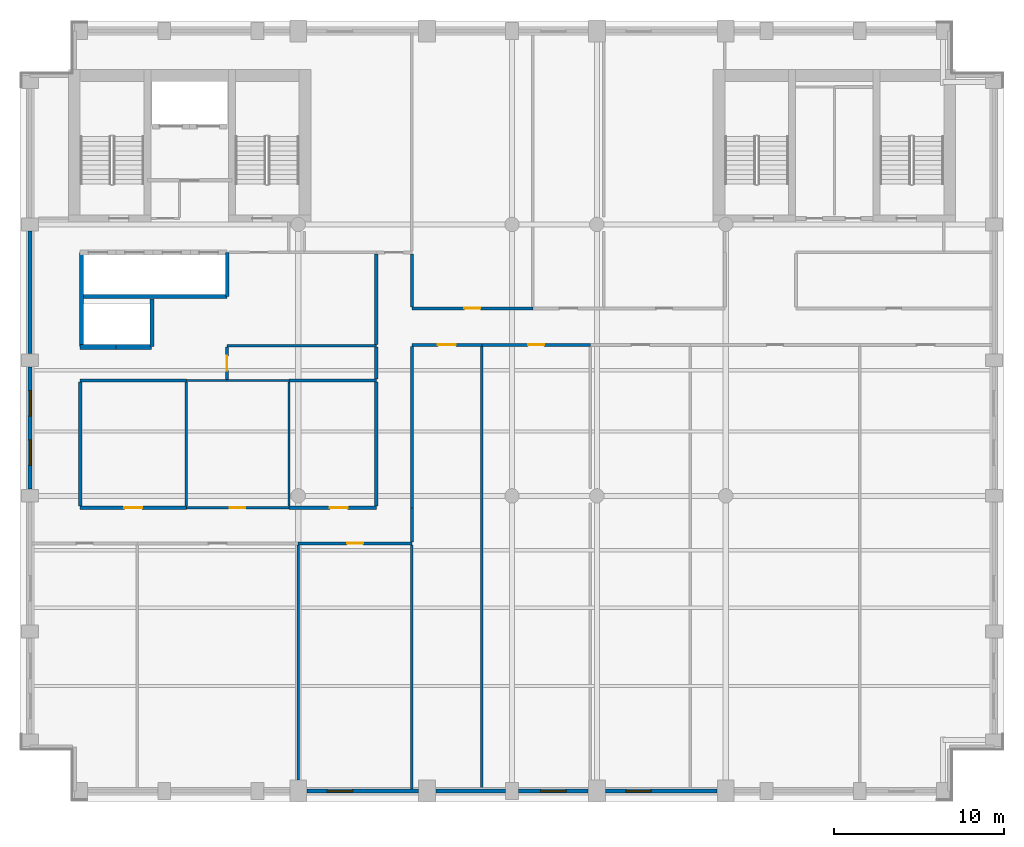
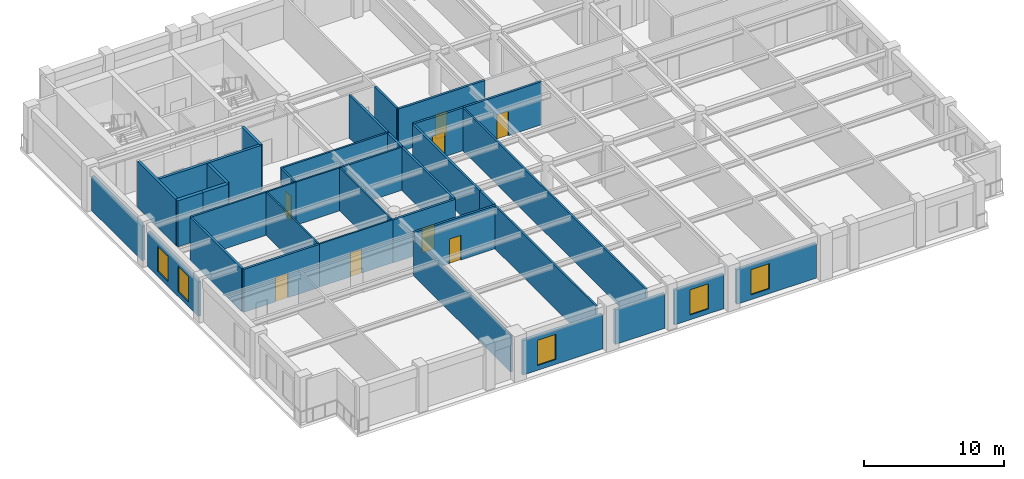
# One storey, part 3 of 9: 37 walls, 8 doors, 5 windows, 13 openings.
"""IFC4 building model written with IfcOpenShell, lengths in metres."""

from ifc_helpers import new_model, si_unit, direction, frame, frame_2d, origin, place, context, subcontext, project, spatial, rectangle, extrude, material, layer, layer_set, type_object, element, fill, save


model = new_model("IFC4")

# Units and contexts
model_context = context("Model", 3, precision=1e-05, world=origin(), true_north=direction((0.0, 1.0)))
body_context = subcontext(model_context, "Body", "Model", "MODEL_VIEW")
ifc_project = project(units=[si_unit("LENGTHUNIT", "METRE"), si_unit("AREAUNIT", "SQUARE_METRE"), si_unit("VOLUMEUNIT", "CUBIC_METRE"), si_unit("PLANEANGLEUNIT", "RADIAN"), si_unit("MASSUNIT", "GRAM", prefix="KILO")], contexts=[model_context])

# Site, building, storey
site_placement = place(None, origin())
site = spatial("IfcSite", under=ifc_project, at=site_placement, CompositionType="ELEMENT")
building_placement = place(site_placement, origin())
building = spatial("IfcBuilding", under=site, at=building_placement, Name="Sulina Concourse Tower", CompositionType="ELEMENT")
storey_placement = place(building_placement, frame((0.0, 0.0, 268.60009765625)))
storey = spatial("IfcBuildingStorey", under=building, at=storey_placement, Name="L65", CompositionType="ELEMENT", Elevation=268.60009765625)

# Walls
ifc_material_1 = material(Name="Concrete C50/60", Category="concrete")
ifc_layer_1 = layer(ifc_material_1, 0.219970703125)
ifc_layer_set_1 = layer_set([ifc_layer_1], Name="Concrete C50/60")
wall_type_1 = type_object("IfcWallType", Name="Core Lift Hoistway Divider Wall 220mm", PredefinedType="SOLIDWALL", material=ifc_layer_set_1)
wall_1_placement = place(storey_placement, frame((3.550048828125, 29.75, 0.0), z_axis=(0.0, 0.0, 1.0), x_axis=(1.0, 0.0, 0.0)))
element("IfcWall", 1, at=wall_1_placement, inside=storey, type_object=wall_type_1, Name="L65 shaft divider wall HW-LP3-S", PredefinedType="SOLIDWALL", context=body_context, shape_type="SweptSolid", body=[
    extrude(rectangle(XDim=8.64990234375, YDim=0.219970703125, at=frame_2d((4.324951171875, 0.0))), origin(), (0.0, 0.0, 1.0), 4.0),
])
wall_2_placement = place(storey_placement, frame((3.6298828125, 26.800048828125, 0.0), z_axis=(0.0, 0.0, 1.0), x_axis=(0.0, 1.0, 0.0)))
element("IfcWall", 2, at=wall_2_placement, inside=storey, type_object=wall_type_1, Name="L65 shaft divider wall HW-LP3-W", PredefinedType="SOLIDWALL", context=body_context, shape_type="SweptSolid", body=[
    extrude(rectangle(XDim=5.550048828125, YDim=0.219970703125, at=frame_2d((2.77490234375, 0.0))), origin(), (0.0, 0.0, 1.0), 4.0),
])
wall_3_placement = place(storey_placement, frame((7.780029296875, 26.800048828125, 0.0), z_axis=(0.0, 0.0, 1.0), x_axis=(0.0, 1.0, 0.0)))
element("IfcWall", 3, at=wall_3_placement, inside=storey, type_object=wall_type_1, Name="L65 shaft divider wall HW-EXP-E", PredefinedType="SOLIDWALL", context=body_context, shape_type="SweptSolid", body=[
    extrude(rectangle(XDim=2.800048828125, YDim=0.219970703125, at=frame_2d((1.39990234375, 0.0))), origin(), (0.0, 0.0, 1.0), 4.0),
])
wall_4_placement = place(storey_placement, frame((12.219970703125, 29.75, 0.0), z_axis=(0.0, 0.0, 1.0), x_axis=(0.0, 1.0, 0.0)))
element("IfcWall", 4, at=wall_4_placement, inside=storey, type_object=wall_type_1, Name="L65 shaft divider wall HW-LP3-E", PredefinedType="SOLIDWALL", context=body_context, shape_type="SweptSolid", body=[
    extrude(rectangle(XDim=2.60009765625, YDim=0.219970703125, at=frame_2d((1.300048828125, 0.0))), origin(), (0.0, 0.0, 1.0), 4.0),
])
ifc_material_2 = material(Name="Concrete C50/60", Category="concrete")
ifc_layer_2 = layer(ifc_material_2, 0.300048828125)
ifc_layer_set_2 = layer_set([ifc_layer_2], Name="Concrete C50/60")
wall_type_2 = type_object("IfcWallType", Name="Core Lift Hoistway Wall 300mm", PredefinedType="SOLIDWALL", material=ifc_layer_set_2)
wall_5_placement = place(storey_placement, frame((5.64990234375, 26.780029296875, 0.0), z_axis=(0.0, 0.0, 1.0), x_axis=(-1.0, 0.0, 0.0)))
element("IfcWall", 5, at=wall_5_placement, inside=storey, type_object=wall_type_2, Name="L65 hoistway enclosure wall EXP-1", PredefinedType="SOLIDWALL", context=body_context, shape_type="SweptSolid", body=[
    extrude(rectangle(XDim=2.099853515625, YDim=0.300048828125, at=frame_2d((1.0498046875, 0.0))), origin(), (0.0, 0.0, 1.0), 4.0),
])
wall_6_placement = place(storey_placement, frame((7.75, 26.780029296875, 0.0), z_axis=(0.0, 0.0, 1.0), x_axis=(-1.0, 0.0, 0.0)))
element("IfcWall", 6, at=wall_6_placement, inside=storey, type_object=wall_type_2, Name="L65 hoistway enclosure wall EXP-2", PredefinedType="SOLIDWALL", context=body_context, shape_type="SweptSolid", body=[
    extrude(rectangle(XDim=2.10009765625, YDim=0.300048828125, at=frame_2d((1.050048828125, 0.0))), origin(), (0.0, 0.0, 1.0), 4.0),
])

# Wall, opening, window
ifc_material_3 = material(Name="Precast concrete C50/60", Category="concrete")
ifc_layer_3 = layer(ifc_material_3, 0.239990234375)
ifc_layer_set_3 = layer_set([ifc_layer_3], Name="Precast concrete C50/60")
wall_type_3 = type_object("IfcWallType", Name="Crown Precast Masonry-Frame Facade Wall 240mm", PredefinedType="SOLIDWALL", material=ifc_layer_set_3)
wall_7_placement = place(storey_placement, frame((23.47998046875, 0.60009765625, 0.0), z_axis=(0.0, 0.0, 1.0), x_axis=(-1.0, 0.0, 0.0)))
wall_7 = element("IfcWall", 7, at=wall_7_placement, inside=storey, type_object=wall_type_3, Name="L65 exterior precast wall S4", PredefinedType="SOLIDWALL", context=body_context, shape_type="SweptSolid", body=[
    extrude(rectangle(XDim=6.56005859375, YDim=0.239990234375, at=frame_2d((3.280029296875, 0.0))), origin(), (0.0, 0.0, 1.0), 3.0),
])
opening_1_placement = place(wall_7_placement, frame((3.873291015625, 0.0, 0.419921875)))
opening_1 = element("IfcOpeningElement", 8, at=opening_1_placement, cuts=wall_7, Name="Opening WN-71", PredefinedType="OPENING", context=body_context, shape_type="SweptSolid", body=[
    extrude(rectangle(XDim=1.5, YDim=2.199951171875, at=frame_2d((0.75, 1.10009765625))), frame((0.0, 0.1298828125, 0.0), z_axis=(0.0, -1.0, 0.0), x_axis=(1.0, 0.0, 0.0)), (0.0, 0.0, 1.0), 0.260009765625),
])
ifc_material_4 = material(Name="Low-E solar double glazing in bronze aluminium", Category="aluminium")
window_type = type_object("IfcWindowType", Name="Punched Masonry-Frame Window 1500x2200", PartitioningType="SINGLE_PANEL", PredefinedType="WINDOW", material=ifc_material_4)
window_1_placement = place(opening_1_placement, origin())
window_1 = element("IfcWindow", 9, at=window_1_placement, inside=storey, type_object=window_type, Name="L65 punched window S4-1", OverallHeight=2.199951171875, OverallWidth=1.5, PartitioningType="SINGLE_PANEL", PredefinedType="WINDOW", context=body_context, shape_type="SweptSolid", body=[
    extrude(rectangle(XDim=1.5, YDim=2.199951171875, at=frame_2d((0.75, 1.10009765625))), frame((0.0, 0.030029296875, 0.0), z_axis=(0.0, -1.0, 0.0), x_axis=(1.0, 0.0, 0.0)), (0.0, 0.0, 1.0), 0.06005859375),
])
fill(opening_1, window_1)

# Wall
wall_8_placement = place(storey_placement, frame((28.60498046875, 0.60009765625, 0.0), z_axis=(0.0, 0.0, 1.0), x_axis=(-1.0, 0.0, 0.0)))
element("IfcWall", 10, at=wall_8_placement, inside=storey, type_object=wall_type_3, Name="L65 exterior precast wall S5", PredefinedType="SOLIDWALL", context=body_context, shape_type="SweptSolid", body=[
    extrude(rectangle(XDim=4.0849609375, YDim=0.239990234375, at=frame_2d((2.04248046875, 0.0))), origin(), (0.0, 0.0, 1.0), 3.0),
])

# Wall, opening, window
wall_9_placement = place(storey_placement, frame((33.47998046875, 0.60009765625, 0.0), z_axis=(0.0, 0.0, 1.0), x_axis=(-1.0, 0.0, 0.0)))
wall_9 = element("IfcWall", 11, at=wall_9_placement, inside=storey, type_object=wall_type_3, Name="L65 exterior precast wall S6", PredefinedType="SOLIDWALL", context=body_context, shape_type="SweptSolid", body=[
    extrude(rectangle(XDim=4.0849609375, YDim=0.239990234375, at=frame_2d((2.04248046875, 0.0))), origin(), (0.0, 0.0, 1.0), 3.0),
])
opening_2_placement = place(wall_9_placement, frame((1.29248046875, 0.0, 0.419921875)))
opening_2 = element("IfcOpeningElement", 12, at=opening_2_placement, cuts=wall_9, Name="Opening WN-71", PredefinedType="OPENING", context=body_context, shape_type="SweptSolid", body=[
    extrude(rectangle(XDim=1.5, YDim=2.199951171875, at=frame_2d((0.75, 1.10009765625))), frame((0.0, 0.1298828125, 0.0), z_axis=(0.0, -1.0, 0.0), x_axis=(1.0, 0.0, 0.0)), (0.0, 0.0, 1.0), 0.260009765625),
])
window_2_placement = place(opening_2_placement, origin())
window_2 = element("IfcWindow", 13, at=window_2_placement, inside=storey, type_object=window_type, Name="L65 punched window S6-1", OverallHeight=2.199951171875, OverallWidth=1.5, PartitioningType="SINGLE_PANEL", PredefinedType="WINDOW", context=body_context, shape_type="SweptSolid", body=[
    extrude(rectangle(XDim=1.5, YDim=2.199951171875, at=frame_2d((0.75, 1.10009765625))), frame((0.0, 0.030029296875, 0.0), z_axis=(0.0, -1.0, 0.0), x_axis=(1.0, 0.0, 0.0)), (0.0, 0.0, 1.0), 0.06005859375),
])
fill(opening_2, window_2)

wall_10_placement = place(storey_placement, frame((41.080078125, 0.60009765625, 0.0), z_axis=(0.0, 0.0, 1.0), x_axis=(-1.0, 0.0, 0.0)))
wall_10 = element("IfcWall", 14, at=wall_10_placement, inside=storey, type_object=wall_type_3, Name="L65 exterior precast wall S7", PredefinedType="SOLIDWALL", context=body_context, shape_type="SweptSolid", body=[
    extrude(rectangle(XDim=6.56005859375, YDim=0.239990234375, at=frame_2d((3.280029296875, 0.0))), origin(), (0.0, 0.0, 1.0), 3.0),
])
opening_3_placement = place(wall_10_placement, frame((3.873291015625, 0.0, 0.419921875)))
opening_3 = element("IfcOpeningElement", 15, at=opening_3_placement, cuts=wall_10, Name="Opening WN-71", PredefinedType="OPENING", context=body_context, shape_type="SweptSolid", body=[
    extrude(rectangle(XDim=1.5, YDim=2.199951171875, at=frame_2d((0.75, 1.10009765625))), frame((0.0, 0.1298828125, 0.0), z_axis=(0.0, -1.0, 0.0), x_axis=(1.0, 0.0, 0.0)), (0.0, 0.0, 1.0), 0.260009765625),
])
window_3_placement = place(opening_3_placement, origin())
window_3 = element("IfcWindow", 16, at=window_3_placement, inside=storey, type_object=window_type, Name="L65 punched window S7-1", OverallHeight=2.199951171875, OverallWidth=1.5, PartitioningType="SINGLE_PANEL", PredefinedType="WINDOW", context=body_context, shape_type="SweptSolid", body=[
    extrude(rectangle(XDim=1.5, YDim=2.199951171875, at=frame_2d((0.75, 1.10009765625))), frame((0.0, 0.030029296875, 0.0), z_axis=(0.0, -1.0, 0.0), x_axis=(1.0, 0.0, 0.0)), (0.0, 0.0, 1.0), 0.06005859375),
])
fill(opening_3, window_3)

# Wall, openings, windows
wall_11_placement = place(storey_placement, frame((0.60009765625, 18.39501953125, 0.0), z_axis=(0.0, 0.0, 1.0), x_axis=(0.0, 1.0, 0.0)))
wall_11 = element("IfcWall", 17, at=wall_11_placement, inside=storey, type_object=wall_type_3, Name="L65 exterior precast wall W3", PredefinedType="SOLIDWALL", context=body_context, shape_type="SweptSolid", body=[
    extrude(rectangle(XDim=7.2099609375, YDim=0.239990234375, at=frame_2d((3.60498046875, 0.0))), origin(), (0.0, 0.0, 1.0), 3.0),
])
opening_4_placement = place(wall_11_placement, frame((1.4033203125, 0.0, 0.419921875)))
opening_4 = element("IfcOpeningElement", 18, at=opening_4_placement, cuts=wall_11, Name="Opening WN-71", PredefinedType="OPENING", context=body_context, shape_type="SweptSolid", body=[
    extrude(rectangle(XDim=1.5, YDim=2.199951171875, at=frame_2d((0.75, 1.10009765625))), frame((0.0, 0.1298828125, 0.0), z_axis=(0.0, -1.0, 0.0), x_axis=(1.0, 0.0, 0.0)), (0.0, 0.0, 1.0), 0.260009765625),
])
opening_5_placement = place(wall_11_placement, frame((4.306640625, 0.0, 0.419921875)))
opening_5 = element("IfcOpeningElement", 19, at=opening_5_placement, cuts=wall_11, Name="Opening WN-71", PredefinedType="OPENING", context=body_context, shape_type="SweptSolid", body=[
    extrude(rectangle(XDim=1.5, YDim=2.199951171875, at=frame_2d((0.75, 1.10009765625))), frame((0.0, 0.1298828125, 0.0), z_axis=(0.0, -1.0, 0.0), x_axis=(1.0, 0.0, 0.0)), (0.0, 0.0, 1.0), 0.260009765625),
])
window_4_placement = place(opening_4_placement, origin())
window_4 = element("IfcWindow", 20, at=window_4_placement, inside=storey, type_object=window_type, Name="L65 punched window W3-1", OverallHeight=2.199951171875, OverallWidth=1.5, PartitioningType="SINGLE_PANEL", PredefinedType="WINDOW", context=body_context, shape_type="SweptSolid", body=[
    extrude(rectangle(XDim=1.5, YDim=2.199951171875, at=frame_2d((0.75, 1.10009765625))), frame((0.0, 0.030029296875, 0.0), z_axis=(0.0, -1.0, 0.0), x_axis=(1.0, 0.0, 0.0)), (0.0, 0.0, 1.0), 0.06005859375),
])
fill(opening_4, window_4)
window_5_placement = place(opening_5_placement, origin())
window_5 = element("IfcWindow", 21, at=window_5_placement, inside=storey, type_object=window_type, Name="L65 punched window W3-2", OverallHeight=2.199951171875, OverallWidth=1.5, PartitioningType="SINGLE_PANEL", PredefinedType="WINDOW", context=body_context, shape_type="SweptSolid", body=[
    extrude(rectangle(XDim=1.5, YDim=2.199951171875, at=frame_2d((0.75, 1.10009765625))), frame((0.0, 0.030029296875, 0.0), z_axis=(0.0, -1.0, 0.0), x_axis=(1.0, 0.0, 0.0)), (0.0, 0.0, 1.0), 0.06005859375),
])
fill(opening_5, window_5)

# Walls
wall_12_placement = place(storey_placement, frame((0.60009765625, 26.39501953125, 0.0), z_axis=(0.0, 0.0, 1.0), x_axis=(0.0, 1.0, 0.0)))
element("IfcWall", 22, at=wall_12_placement, inside=storey, type_object=wall_type_3, Name="L65 exterior precast wall W4", PredefinedType="SOLIDWALL", context=body_context, shape_type="SweptSolid", body=[
    extrude(rectangle(XDim=7.2099609375, YDim=0.239990234375, at=frame_2d((3.60498046875, 0.0))), origin(), (0.0, 0.0, 1.0), 3.0),
])
ifc_material_5 = material(Name="Gypsum board on steel stud", Category="steel")
ifc_layer_4 = layer(ifc_material_5, 0.14990234375)
ifc_layer_set_4 = layer_set([ifc_layer_4], Name="Gypsum board on steel stud")
wall_type_4 = type_object("IfcWallType", Name="Inter-Tenancy Acoustic Partition 150mm", PredefinedType="PARTITIONING", material=ifc_layer_set_4)
wall_13_placement = place(storey_placement, frame((3.550048828125, 24.800048828125, 0.0), z_axis=(0.0, 0.0, 1.0), x_axis=(1.0, 0.0, 0.0)))
element("IfcWall", 23, at=wall_13_placement, inside=storey, type_object=wall_type_4, Name="L65 interior partition 007", PredefinedType="PARTITIONING", context=body_context, shape_type="SweptSolid", body=[
    extrude(rectangle(XDim=6.25, YDim=0.14990234375, at=frame_2d((3.125, 0.0))), origin(), (0.0, 0.0, 1.0), 3.75),
])
wall_14_placement = place(storey_placement, frame((15.85009765625, 24.800048828125, 0.0), z_axis=(0.0, 0.0, 1.0), x_axis=(1.0, 0.0, 0.0)))
element("IfcWall", 24, at=wall_14_placement, inside=storey, type_object=wall_type_4, Name="L65 interior partition 010", PredefinedType="PARTITIONING", context=body_context, shape_type="SweptSolid", body=[
    extrude(rectangle(XDim=5.14990234375, YDim=0.14990234375, at=frame_2d((2.574951171875, 0.0))), origin(), (0.0, 0.0, 1.0), 3.75),
])
wall_15_placement = place(storey_placement, frame((12.199951171875, 26.85009765625, 0.0), z_axis=(0.0, 0.0, 1.0), x_axis=(1.0, 0.0, 0.0)))
element("IfcWall", 25, at=wall_15_placement, inside=storey, type_object=wall_type_4, Name="L65 interior partition 011", PredefinedType="PARTITIONING", context=body_context, shape_type="SweptSolid", body=[
    extrude(rectangle(XDim=8.800048828125, YDim=0.14990234375, at=frame_2d((4.39990234375, 0.0))), origin(), (0.0, 0.0, 1.0), 3.75),
])

# Wall, opening, door
wall_16_placement = place(storey_placement, frame((12.199951171875, 24.862548828125, 0.0), z_axis=(0.0, 0.0, 1.0), x_axis=(0.0, 1.0, 0.0)))
wall_16 = element("IfcWall", 26, at=wall_16_placement, inside=storey, type_object=wall_type_4, Name="L65 interior partition 035", PredefinedType="PARTITIONING", context=body_context, shape_type="SweptSolid", body=[
    extrude(rectangle(XDim=1.912353515625, YDim=0.14990234375, at=frame_2d((0.9560546875, 0.0))), origin(), (0.0, 0.0, 1.0), 3.75),
])
opening_6_placement = place(wall_16_placement, frame((0.51611328125, 0.0, 0.0)))
opening_6 = element("IfcOpeningElement", 27, at=opening_6_placement, cuts=wall_16, Name="Opening DR-38", PredefinedType="OPENING", context=body_context, shape_type="SweptSolid", body=[
    extrude(rectangle(XDim=0.8798828125, YDim=2.10009765625, at=frame_2d((0.43994140625, 1.050048828125))), frame((0.0, 0.0849609375, 0.0), z_axis=(0.0, -1.0, 0.0), x_axis=(1.0, 0.0, 0.0)), (0.0, 0.0, 1.0), 0.169921875),
])
ifc_material_6 = material(Name="Galvanised steel acoustic fire leaf", Category="steel")
ifc_layer_5 = layer(ifc_material_6, 0.050048828125)
ifc_layer_set_5 = layer_set([ifc_layer_5], Name="Galvanised steel acoustic fire leaf")
door_type_1 = type_object("IfcDoorType", Name="Service Riser Fire Door 880x2100", OperationType="NOTDEFINED", PredefinedType="DOOR", material=ifc_layer_set_5)
door_1_placement = place(opening_6_placement, origin())
door_1 = element("IfcDoor", 28, at=door_1_placement, inside=storey, type_object=door_type_1, Name="L65 interior door L65-MR-MRG1", OperationType="SINGLE_SWING_LEFT", OverallHeight=2.10009765625, OverallWidth=0.8798828125, PredefinedType="DOOR", context=body_context, shape_type="SweptSolid", body=[
    extrude(rectangle(XDim=0.8798828125, YDim=2.10009765625, at=frame_2d((0.43994140625, 1.050048828125))), frame((0.0, 0.02490234375, 0.0), z_axis=(0.0, -1.0, 0.0), x_axis=(1.0, 0.0, 0.0)), (0.0, 0.0, 1.0), 0.050048828125),
])
fill(opening_6, door_1)

# Walls
wall_17_placement = place(storey_placement, frame((16.39990234375, 1.25, 0.0), z_axis=(0.0, 0.0, 1.0), x_axis=(0.0, 1.0, 0.0)))
element("IfcWall", 29, at=wall_17_placement, inside=storey, type_object=wall_type_4, Name="L65 interior partition 038", PredefinedType="PARTITIONING", context=body_context, shape_type="SweptSolid", body=[
    extrude(rectangle(XDim=13.860107421875, YDim=0.14990234375, at=frame_2d((6.93017578125, 0.0))), origin(), (0.0, 0.0, 1.0), 3.19482421875),
])
wall_18_placement = place(storey_placement, frame((23.10009765625, 0.719970703125, 0.0), z_axis=(0.0, 0.0, 1.0), x_axis=(0.0, 1.0, 0.0)))
element("IfcWall", 30, at=wall_18_placement, inside=storey, type_object=wall_type_4, Name="L65 interior partition 043", PredefinedType="PARTITIONING", context=body_context, shape_type="SweptSolid", body=[
    extrude(rectangle(XDim=14.39013671875, YDim=0.14990234375, at=frame_2d((7.195068359375, 0.0))), origin(), (0.0, 0.0, 1.0), 3.75),
])
wall_19_placement = place(storey_placement, frame((27.219970703125, 0.719970703125, 0.0), z_axis=(0.0, 0.0, 1.0), x_axis=(0.0, 1.0, 0.0)))
element("IfcWall", 31, at=wall_19_placement, inside=storey, type_object=wall_type_4, Name="L65 interior partition 048", PredefinedType="PARTITIONING", context=body_context, shape_type="SweptSolid", body=[
    extrude(rectangle(XDim=26.090087890625, YDim=0.14990234375, at=frame_2d((13.044921875, 0.0))), origin(), (0.0, 0.0, 1.0), 3.75),
])

# Wall, opening, door
ifc_material_7 = material(Name="Gypsum board on steel stud", Category="steel")
ifc_layer_6 = layer(ifc_material_7, 0.179931640625)
ifc_layer_set_6 = layer_set([ifc_layer_6], Name="Gypsum board on steel stud")
wall_type_5 = type_object("IfcWallType", Name="Protected Corridor & Riser Partition 180mm", PredefinedType="PARTITIONING", material=ifc_layer_set_6)
wall_20_placement = place(storey_placement, frame((16.39990234375, 15.199951171875, 0.0), z_axis=(0.0, 0.0, 1.0), x_axis=(1.0, 0.0, 0.0)))
wall_20 = element("IfcWall", 32, at=wall_20_placement, inside=storey, type_object=wall_type_5, Name="L65 interior partition 003", PredefinedType="PARTITIONING", context=body_context, shape_type="SweptSolid", body=[
    extrude(rectangle(XDim=6.7001953125, YDim=0.179931640625, at=frame_2d((3.35009765625, 0.0))), origin(), (0.0, 0.0, 1.0), 3.75),
])
opening_7_placement = place(wall_20_placement, frame((2.875, 0.0, 0.0)))
opening_7 = element("IfcOpeningElement", 33, at=opening_7_placement, cuts=wall_20, Name="Opening DR-19", PredefinedType="OPENING", context=body_context, shape_type="SweptSolid", body=[
    extrude(rectangle(XDim=0.949951171875, YDim=2.14990234375, at=frame_2d((0.47509765625, 1.074951171875))), frame((0.0, 0.099853515625, 0.0), z_axis=(0.0, -1.0, 0.0), x_axis=(1.0, 0.0, 0.0)), (0.0, 0.0, 1.0), 0.199951171875),
])
ifc_material_8 = material(Name="Oak-veneered acoustic timber leaf", Category="wood")
ifc_layer_7 = layer(ifc_material_8, 0.050048828125)
ifc_layer_set_7 = layer_set([ifc_layer_7], Name="Oak-veneered acoustic timber leaf")
door_type_2 = type_object("IfcDoorType", Name="Cellular Office & Meeting Door 950x2150", OperationType="NOTDEFINED", PredefinedType="DOOR", material=ifc_layer_set_7)
door_2_placement = place(opening_7_placement, origin())
door_2 = element("IfcDoor", 34, at=door_2_placement, inside=storey, type_object=door_type_2, Name="L65 interior door L65-S03", OperationType="SINGLE_SWING_LEFT", OverallHeight=2.14990234375, OverallWidth=0.949951171875, PredefinedType="DOOR", context=body_context, shape_type="SweptSolid", body=[
    extrude(rectangle(XDim=0.949951171875, YDim=2.14990234375, at=frame_2d((0.47509765625, 1.074951171875))), frame((0.0, 0.02490234375, 0.0), z_axis=(0.0, -1.0, 0.0), x_axis=(1.0, 0.0, 0.0)), (0.0, 0.0, 1.0), 0.050048828125),
])
fill(opening_7, door_2)

wall_21_placement = place(storey_placement, frame((3.550048828125, 17.300048828125, 0.0), z_axis=(0.0, 0.0, 1.0), x_axis=(1.0, 0.0, 0.0)))
wall_21 = element("IfcWall", 35, at=wall_21_placement, inside=storey, type_object=wall_type_5, Name="L65 interior partition 004", PredefinedType="PARTITIONING", context=body_context, shape_type="SweptSolid", body=[
    extrude(rectangle(XDim=6.25, YDim=0.179931640625, at=frame_2d((3.125, 0.0))), origin(), (0.0, 0.0, 1.0), 3.75),
])
opening_8_placement = place(wall_21_placement, frame((2.60009765625, 0.0, 0.0)))
opening_8 = element("IfcOpeningElement", 36, at=opening_8_placement, cuts=wall_21, Name="Opening DR-37", PredefinedType="OPENING", context=body_context, shape_type="SweptSolid", body=[
    extrude(rectangle(XDim=1.050048828125, YDim=2.14990234375, at=frame_2d((0.52490234375, 1.074951171875))), frame((0.0, 0.099853515625, 0.0), z_axis=(0.0, -1.0, 0.0), x_axis=(1.0, 0.0, 0.0)), (0.0, 0.0, 1.0), 0.199951171875),
])
ifc_material_9 = material(Name="Oak-veneered fire door leaf")
ifc_layer_8 = layer(ifc_material_9, 0.050048828125)
ifc_layer_set_8 = layer_set([ifc_layer_8], Name="Oak-veneered fire door leaf")
door_type_3 = type_object("IfcDoorType", Name="Tenant Suite Entrance Fire Door 1050x2150", OperationType="NOTDEFINED", PredefinedType="DOOR", material=ifc_layer_set_8)
door_3_placement = place(opening_8_placement, origin())
door_3 = element("IfcDoor", 37, at=door_3_placement, inside=storey, type_object=door_type_3, Name="L65 interior door L65-LR-MRG1", OperationType="SINGLE_SWING_RIGHT", OverallHeight=2.14990234375, OverallWidth=1.050048828125, PredefinedType="DOOR", context=body_context, shape_type="SweptSolid", body=[
    extrude(rectangle(XDim=1.050048828125, YDim=2.14990234375, at=frame_2d((0.52490234375, 1.074951171875))), frame((0.0, 0.02490234375, 0.0), z_axis=(0.0, -1.0, 0.0), x_axis=(1.0, 0.0, 0.0)), (0.0, 0.0, 1.0), 0.050048828125),
])
fill(opening_8, door_3)

wall_22_placement = place(storey_placement, frame((15.85009765625, 17.300048828125, 0.0), z_axis=(0.0, 0.0, 1.0), x_axis=(1.0, 0.0, 0.0)))
wall_22 = element("IfcWall", 38, at=wall_22_placement, inside=storey, type_object=wall_type_5, Name="L65 interior partition 006", PredefinedType="PARTITIONING", context=body_context, shape_type="SweptSolid", body=[
    extrude(rectangle(XDim=5.14990234375, YDim=0.179931640625, at=frame_2d((2.574951171875, 0.0))), origin(), (0.0, 0.0, 1.0), 3.75),
])
opening_9_placement = place(wall_22_placement, frame((2.409912109375, 0.0, 0.0)))
opening_9 = element("IfcOpeningElement", 39, at=opening_9_placement, cuts=wall_22, Name="Opening DR-37", PredefinedType="OPENING", context=body_context, shape_type="SweptSolid", body=[
    extrude(rectangle(XDim=1.050048828125, YDim=2.14990234375, at=frame_2d((0.52490234375, 1.074951171875))), frame((0.0, 0.099853515625, 0.0), z_axis=(0.0, -1.0, 0.0), x_axis=(1.0, 0.0, 0.0)), (0.0, 0.0, 1.0), 0.199951171875),
])
door_4_placement = place(opening_9_placement, origin())
door_4 = element("IfcDoor", 40, at=door_4_placement, inside=storey, type_object=door_type_3, Name="L65 interior door L65-NZ-PKW", OperationType="SINGLE_SWING_RIGHT", OverallHeight=2.14990234375, OverallWidth=1.050048828125, PredefinedType="DOOR", context=body_context, shape_type="SweptSolid", body=[
    extrude(rectangle(XDim=1.050048828125, YDim=2.14990234375, at=frame_2d((0.52490234375, 1.074951171875))), frame((0.0, 0.02490234375, 0.0), z_axis=(0.0, -1.0, 0.0), x_axis=(1.0, 0.0, 0.0)), (0.0, 0.0, 1.0), 0.050048828125),
])
fill(opening_9, door_4)

wall_23_placement = place(storey_placement, frame((23.10009765625, 26.89990234375, 0.0), z_axis=(0.0, 0.0, 1.0), x_axis=(1.0, 0.0, 0.0)))
wall_23 = element("IfcWall", 41, at=wall_23_placement, inside=storey, type_object=wall_type_5, Name="L65 interior partition 012", PredefinedType="PARTITIONING", context=body_context, shape_type="SweptSolid", body=[
    extrude(rectangle(XDim=4.119873046875, YDim=0.179931640625, at=frame_2d((2.06005859375, 0.0))), origin(), (0.0, 0.0, 1.0), 3.75),
])
opening_10_placement = place(wall_23_placement, frame((1.534912109375, 0.0, 0.0)))
opening_10 = element("IfcOpeningElement", 42, at=opening_10_placement, cuts=wall_23, Name="Opening DR-37", PredefinedType="OPENING", context=body_context, shape_type="SweptSolid", body=[
    extrude(rectangle(XDim=1.050048828125, YDim=2.14990234375, at=frame_2d((0.52490234375, 1.074951171875))), frame((0.0, 0.099853515625, 0.0), z_axis=(0.0, -1.0, 0.0), x_axis=(1.0, 0.0, 0.0)), (0.0, 0.0, 1.0), 0.199951171875),
])
door_5_placement = place(opening_10_placement, origin())
door_5 = element("IfcDoor", 43, at=door_5_placement, inside=storey, type_object=door_type_3, Name="L65 interior door L65-S04", OperationType="SINGLE_SWING_LEFT", OverallHeight=2.14990234375, OverallWidth=1.050048828125, PredefinedType="DOOR", context=body_context, shape_type="SweptSolid", body=[
    extrude(rectangle(XDim=1.050048828125, YDim=2.14990234375, at=frame_2d((0.52490234375, 1.074951171875))), frame((0.0, 0.02490234375, 0.0), z_axis=(0.0, -1.0, 0.0), x_axis=(1.0, 0.0, 0.0)), (0.0, 0.0, 1.0), 0.050048828125),
])
fill(opening_10, door_5)

wall_24_placement = place(storey_placement, frame((27.219970703125, 26.89990234375, 0.0), z_axis=(0.0, 0.0, 1.0), x_axis=(1.0, 0.0, 0.0)))
wall_24 = element("IfcWall", 44, at=wall_24_placement, inside=storey, type_object=wall_type_5, Name="L65 interior partition 013", PredefinedType="PARTITIONING", context=body_context, shape_type="SweptSolid", body=[
    extrude(rectangle(XDim=6.400146484375, YDim=0.179931640625, at=frame_2d((3.2001953125, 0.0))), origin(), (0.0, 0.0, 1.0), 3.75),
])
opening_11_placement = place(wall_24_placement, frame((2.72509765625, 0.0, 0.0)))
opening_11 = element("IfcOpeningElement", 45, at=opening_11_placement, cuts=wall_24, Name="Opening DR-19", PredefinedType="OPENING", context=body_context, shape_type="SweptSolid", body=[
    extrude(rectangle(XDim=0.949951171875, YDim=2.14990234375, at=frame_2d((0.47509765625, 1.074951171875))), frame((0.0, 0.099853515625, 0.0), z_axis=(0.0, -1.0, 0.0), x_axis=(1.0, 0.0, 0.0)), (0.0, 0.0, 1.0), 0.199951171875),
])
door_6_placement = place(opening_11_placement, origin())
door_6 = element("IfcDoor", 46, at=door_6_placement, inside=storey, type_object=door_type_2, Name="L65 interior door L65-S05A", OperationType="SINGLE_SWING_RIGHT", OverallHeight=2.14990234375, OverallWidth=0.949951171875, PredefinedType="DOOR", context=body_context, shape_type="SweptSolid", body=[
    extrude(rectangle(XDim=0.949951171875, YDim=2.14990234375, at=frame_2d((0.47509765625, 1.074951171875))), frame((0.0, 0.02490234375, 0.0), z_axis=(0.0, -1.0, 0.0), x_axis=(1.0, 0.0, 0.0)), (0.0, 0.0, 1.0), 0.050048828125),
])
fill(opening_11, door_6)

wall_25_placement = place(storey_placement, frame((23.10009765625, 29.050048828125, 0.0), z_axis=(0.0, 0.0, 1.0), x_axis=(1.0, 0.0, 0.0)))
wall_25 = element("IfcWall", 47, at=wall_25_placement, inside=storey, type_object=wall_type_5, Name="L65 interior partition 017", PredefinedType="PARTITIONING", context=body_context, shape_type="SweptSolid", body=[
    extrude(rectangle(XDim=7.1298828125, YDim=0.179931640625, at=frame_2d((3.56494140625, 0.0))), origin(), (0.0, 0.0, 1.0), 3.75),
])
opening_12_placement = place(wall_25_placement, frame((3.090087890625, 0.0, 0.0)))
opening_12 = element("IfcOpeningElement", 48, at=opening_12_placement, cuts=wall_25, Name="Opening DR-19", PredefinedType="OPENING", context=body_context, shape_type="SweptSolid", body=[
    extrude(rectangle(XDim=0.949951171875, YDim=2.14990234375, at=frame_2d((0.47509765625, 1.074951171875))), frame((0.0, 0.099853515625, 0.0), z_axis=(0.0, -1.0, 0.0), x_axis=(1.0, 0.0, 0.0)), (0.0, 0.0, 1.0), 0.199951171875),
])
door_7_placement = place(opening_12_placement, origin())
door_7 = element("IfcDoor", 49, at=door_7_placement, inside=storey, type_object=door_type_2, Name="L65 interior door L65-NC1", OperationType="SINGLE_SWING_RIGHT", OverallHeight=2.14990234375, OverallWidth=0.949951171875, PredefinedType="DOOR", context=body_context, shape_type="SweptSolid", body=[
    extrude(rectangle(XDim=0.949951171875, YDim=2.14990234375, at=frame_2d((0.47509765625, 1.074951171875))), frame((0.0, 0.02490234375, 0.0), z_axis=(0.0, -1.0, 0.0), x_axis=(1.0, 0.0, 0.0)), (0.0, 0.0, 1.0), 0.050048828125),
])
fill(opening_12, door_7)

# Walls
for number, where, z_axis, x_axis, name in (
    (50, (3.550048828125, 17.389892578125, 0.0), (0.0, 0.0, 1.0), (0.0, 1.0, 0.0), "L65 interior partition 031"),
    (51, (21.0, 17.389892578125, 0.0), (0.0, 0.0, 1.0), (0.0, 1.0, 0.0), "L65 interior partition 040"),
):
    element("IfcWall", number, at=place(storey_placement, frame(where, z_axis=z_axis, x_axis=x_axis)), inside=storey, type_object=wall_type_5, Name=name, PredefinedType="PARTITIONING", context=body_context, shape_type="SweptSolid", body=[
        extrude(rectangle(XDim=7.335205078125, YDim=0.179931640625, at=frame_2d((3.66748046875, 0.0))), origin(), (0.0, 0.0, 1.0), 3.75),
    ])
wall_26_placement = place(storey_placement, frame((21.0, 24.875, 0.0), z_axis=(0.0, 0.0, 1.0), x_axis=(0.0, 1.0, 0.0)))
element("IfcWall", 52, at=wall_26_placement, inside=storey, type_object=wall_type_5, Name="L65 interior partition 041", PredefinedType="PARTITIONING", context=body_context, shape_type="SweptSolid", body=[
    extrude(rectangle(XDim=1.89990234375, YDim=0.179931640625, at=frame_2d((0.949951171875, 0.0))), origin(), (0.0, 0.0, 1.0), 3.75),
])
wall_27_placement = place(storey_placement, frame((21.0, 26.925048828125, 0.0), z_axis=(0.0, 0.0, 1.0), x_axis=(0.0, 1.0, 0.0)))
element("IfcWall", 53, at=wall_27_placement, inside=storey, type_object=wall_type_5, Name="L65 interior partition 042", PredefinedType="PARTITIONING", context=body_context, shape_type="SweptSolid", body=[
    extrude(rectangle(XDim=5.3349609375, YDim=0.179931640625, at=frame_2d((2.66748046875, 0.0))), origin(), (0.0, 0.0, 1.0), 3.75),
])
wall_28_placement = place(storey_placement, frame((23.10009765625, 15.2900390625, 0.0), z_axis=(0.0, 0.0, 1.0), x_axis=(0.0, 1.0, 0.0)))
element("IfcWall", 54, at=wall_28_placement, inside=storey, type_object=wall_type_5, Name="L65 interior partition 044", PredefinedType="PARTITIONING", context=body_context, shape_type="SweptSolid", body=[
    extrude(rectangle(XDim=2.010009765625, YDim=0.179931640625, at=frame_2d((1.0048828125, 0.0))), origin(), (0.0, 0.0, 1.0), 3.75),
])
wall_29_placement = place(storey_placement, frame((23.10009765625, 17.300048828125, 0.0), z_axis=(0.0, 0.0, 1.0), x_axis=(0.0, 1.0, 0.0)))
element("IfcWall", 55, at=wall_29_placement, inside=storey, type_object=wall_type_5, Name="L65 interior partition 045", PredefinedType="PARTITIONING", context=body_context, shape_type="SweptSolid", body=[
    extrude(rectangle(XDim=9.510009765625, YDim=0.179931640625, at=frame_2d((4.7548828125, 0.0))), origin(), (0.0, 0.0, 1.0), 3.75),
])
wall_30_placement = place(storey_placement, frame((23.10009765625, 29.139892578125, 0.0), z_axis=(0.0, 0.0, 1.0), x_axis=(0.0, 1.0, 0.0)))
element("IfcWall", 56, at=wall_30_placement, inside=storey, type_object=wall_type_5, Name="L65 interior partition 046", PredefinedType="PARTITIONING", context=body_context, shape_type="SweptSolid", body=[
    extrude(rectangle(XDim=3.1201171875, YDim=0.179931640625, at=frame_2d((1.56005859375, 0.0))), origin(), (0.0, 0.0, 1.0), 3.75),
])

# Wall, opening, door
ifc_material_10 = material(Name="Gypsum board on steel stud", Category="steel")
ifc_layer_9 = layer(ifc_material_10, 0.125)
ifc_layer_set_9 = layer_set([ifc_layer_9], Name="Gypsum board on steel stud")
wall_type_6 = type_object("IfcWallType", Name="Wet-Area Moisture-Resistant Partition 125mm", PredefinedType="PARTITIONING", material=ifc_layer_set_9)
wall_31_placement = place(storey_placement, frame((9.800048828125, 17.300048828125, 0.0), z_axis=(0.0, 0.0, 1.0), x_axis=(1.0, 0.0, 0.0)))
wall_31 = element("IfcWall", 57, at=wall_31_placement, inside=storey, type_object=wall_type_6, Name="L65 interior partition 005", PredefinedType="PARTITIONING", context=body_context, shape_type="SweptSolid", body=[
    extrude(rectangle(XDim=6.050048828125, YDim=0.125, at=frame_2d((3.02490234375, 0.0))), origin(), (0.0, 0.0, 1.0), 3.75),
])
opening_13_placement = place(wall_31_placement, frame((2.574951171875, 0.0, 0.0)))
opening_13 = element("IfcOpeningElement", 58, at=opening_13_placement, cuts=wall_31, Name="Opening DR-21", PredefinedType="OPENING", context=body_context, shape_type="SweptSolid", body=[
    extrude(rectangle(XDim=0.89990234375, YDim=2.10009765625, at=frame_2d((0.449951171875, 1.050048828125))), frame((0.0, 0.072509765625, 0.0), z_axis=(0.0, -1.0, 0.0), x_axis=(1.0, 0.0, 0.0)), (0.0, 0.0, 1.0), 0.14501953125),
])
ifc_material_11 = material(Name="Oak-veneered fire door leaf")
ifc_layer_10 = layer(ifc_material_11, 0.050048828125)
ifc_layer_set_10 = layer_set([ifc_layer_10], Name="Oak-veneered fire door leaf")
door_type_4 = type_object("IfcDoorType", Name="Restroom & Service Door 900x2100", OperationType="NOTDEFINED", PredefinedType="DOOR", material=ifc_layer_set_10)
door_8_placement = place(opening_13_placement, origin())
door_8 = element("IfcDoor", 59, at=door_8_placement, inside=storey, type_object=door_type_4, Name="L65 interior door L65-LR-MRG2", OperationType="SINGLE_SWING_LEFT", OverallHeight=2.10009765625, OverallWidth=0.89990234375, PredefinedType="DOOR", context=body_context, shape_type="SweptSolid", body=[
    extrude(rectangle(XDim=0.89990234375, YDim=2.10009765625, at=frame_2d((0.449951171875, 1.050048828125))), frame((0.0, 0.02490234375, 0.0), z_axis=(0.0, -1.0, 0.0), x_axis=(1.0, 0.0, 0.0)), (0.0, 0.0, 1.0), 0.050048828125),
])
fill(opening_13, door_8)

# Walls
wall_32_placement = place(storey_placement, frame((9.800048828125, 24.800048828125, 0.0), z_axis=(0.0, 0.0, 1.0), x_axis=(1.0, 0.0, 0.0)))
element("IfcWall", 60, at=wall_32_placement, inside=storey, type_object=wall_type_6, Name="L65 interior partition 008", PredefinedType="PARTITIONING", context=body_context, shape_type="SweptSolid", body=[
    extrude(rectangle(XDim=2.39990234375, YDim=0.125, at=frame_2d((1.199951171875, 0.0))), origin(), (0.0, 0.0, 1.0), 3.75),
])
wall_33_placement = place(storey_placement, frame((12.199951171875, 24.800048828125, 0.0), z_axis=(0.0, 0.0, 1.0), x_axis=(1.0, 0.0, 0.0)))
element("IfcWall", 61, at=wall_33_placement, inside=storey, type_object=wall_type_6, Name="L65 interior partition 009", PredefinedType="PARTITIONING", context=body_context, shape_type="SweptSolid", body=[
    extrude(rectangle(XDim=3.650146484375, YDim=0.125, at=frame_2d((1.8251953125, 0.0))), origin(), (0.0, 0.0, 1.0), 3.75),
])
for number, where, z_axis, x_axis, name in (
    (62, (9.800048828125, 17.389892578125, 0.0), (0.0, 0.0, 1.0), (0.0, 1.0, 0.0), "L65 interior partition 034"),
    (63, (15.85009765625, 17.389892578125, 0.0), (0.0, 0.0, 1.0), (0.0, 1.0, 0.0), "L65 interior partition 036"),
):
    element("IfcWall", number, at=place(storey_placement, frame(where, z_axis=z_axis, x_axis=x_axis)), inside=storey, type_object=wall_type_6, Name=name, PredefinedType="PARTITIONING", context=body_context, shape_type="SweptSolid", body=[
        extrude(rectangle(XDim=7.335205078125, YDim=0.125, at=frame_2d((3.66748046875, 0.0))), origin(), (0.0, 0.0, 1.0), 3.75),
    ])

save(model, "model.ifc")
